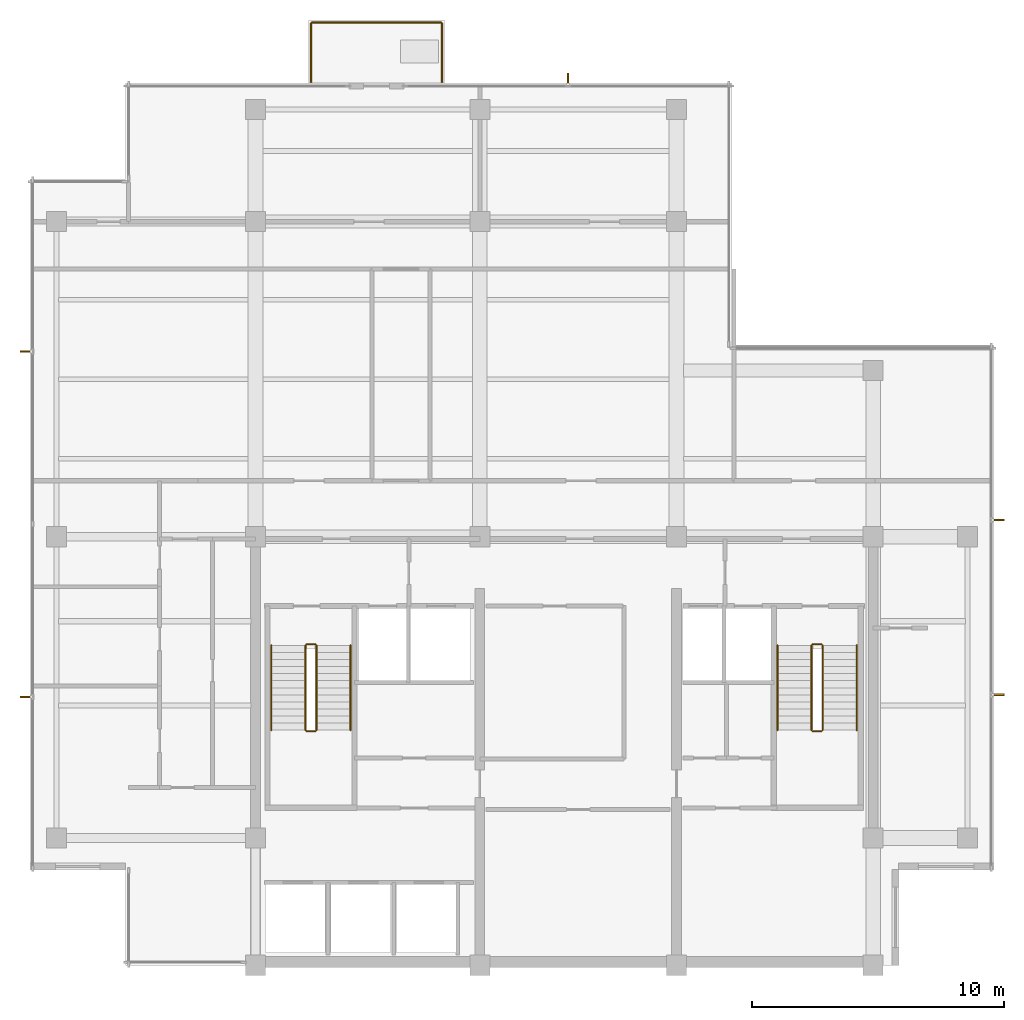
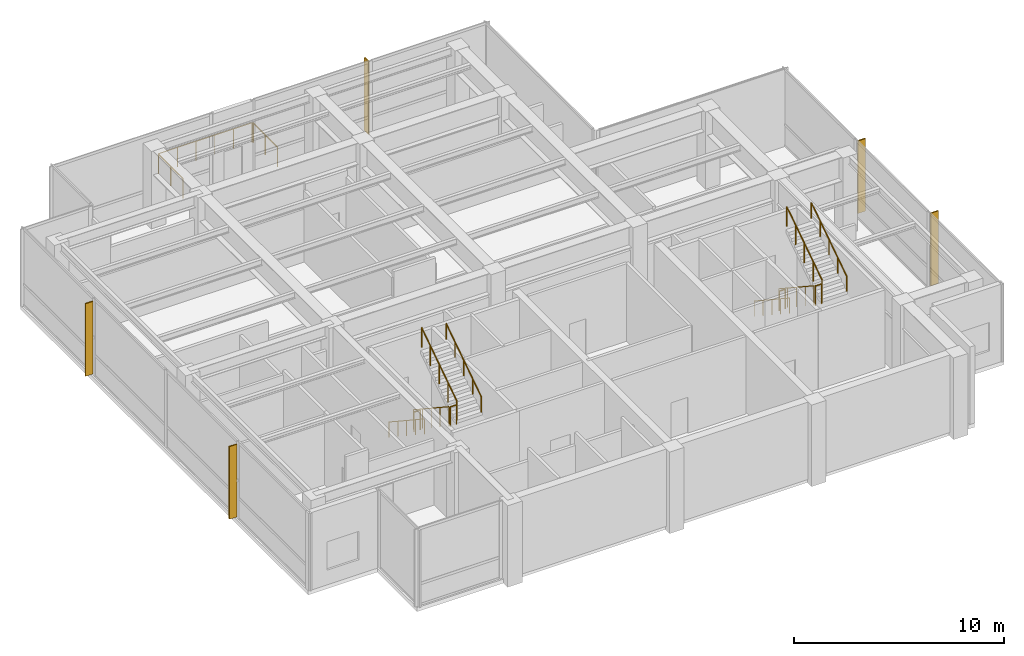
# One storey, part 11 of 11: 15 railings, 5 shading devices.
"""IFC4 building model written with IfcOpenShell, lengths in metres."""

from ifc_helpers import new_model, si_unit, direction, frame, origin, origin_2d, place, context, subcontext, project, spatial, polyline, circle, outline, extrude, material, layer, layer_set, type_object, element, save


model = new_model("IFC4")

# Units and contexts
model_context = context("Model", 3, precision=1e-05, world=origin(), true_north=direction((0.0, 1.0)))
body_context = subcontext(model_context, "Body", "Model", "MODEL_VIEW")
ifc_project = project(units=[si_unit("LENGTHUNIT", "METRE"), si_unit("AREAUNIT", "SQUARE_METRE"), si_unit("VOLUMEUNIT", "CUBIC_METRE"), si_unit("PLANEANGLEUNIT", "RADIAN"), si_unit("MASSUNIT", "GRAM", prefix="KILO")], contexts=[model_context])

# Site, building, storey
site_placement = place(None, origin())
site = spatial("IfcSite", under=ifc_project, at=site_placement, CompositionType="ELEMENT")
building_placement = place(site_placement, origin())
building = spatial("IfcBuilding", under=site, at=building_placement, Name="Qalmaran Belvedere Hotel", CompositionType="ELEMENT")
storey_placement = place(building_placement, frame((0.0, 0.0, 293.89990234375)))
storey = spatial("IfcBuildingStorey", under=building, at=storey_placement, Name="L76", CompositionType="ELEMENT", Elevation=293.89990234375)

# Shading devices
ifc_material_1 = material(Name="Anodised Bronze Aluminium", Category="aluminium")
ifc_layer = layer(ifc_material_1, 0.06494140625, Name="Anodised Bronze Aluminium")
ifc_layer_set = layer_set([ifc_layer], Name="Anodised Bronze Aluminium")
shading_device_type = type_object("IfcShadingDeviceType", Name="FIN-BRNZ-420", PredefinedType="USERDEFINED", material=ifc_layer_set)
shading_device_1_placement = place(storey_placement, frame((0.0, 0.0, 0.16015625)))
element("IfcShadingDevice", 1, at=shading_device_1_placement, inside=storey, type_object=shading_device_type, Name="L76 Bronze Fin 1", ObjectType="FIN", PredefinedType="USERDEFINED", context=body_context, shape_type="SweptSolid", body=[
    extrude(outline(polyline([(49.572509765625, 14.20068359375), (49.992431640625, 14.20068359375), (49.992431640625, 14.265869140625), (49.572509765625, 14.265869140625), (49.572509765625, 14.20068359375)])), origin(), (0.0, 0.0, 1.0), 4.219970703125),
])
shading_device_2_placement = place(storey_placement, frame((0.0, 0.0, 0.16015625)))
element("IfcShadingDevice", 2, at=shading_device_2_placement, inside=storey, type_object=shading_device_type, Name="L76 Bronze Fin 2", ObjectType="FIN", PredefinedType="USERDEFINED", context=body_context, shape_type="SweptSolid", body=[
    extrude(outline(polyline([(49.572509765625, 21.13427734375), (49.992431640625, 21.13427734375), (49.992431640625, 21.19921875), (49.572509765625, 21.19921875), (49.572509765625, 21.13427734375)])), origin(), (0.0, 0.0, 1.0), 4.219970703125),
])
shading_device_3_placement = place(storey_placement, frame((0.0, 0.0, 0.16015625)))
element("IfcShadingDevice", 3, at=shading_device_3_placement, inside=storey, type_object=shading_device_type, Name="L76 Bronze Fin 1", ObjectType="FIN", PredefinedType="USERDEFINED", context=body_context, shape_type="SweptSolid", body=[
    extrude(outline(polyline([(32.732421875, 38.472412109375), (32.732421875, 38.892578125), (32.66748046875, 38.892578125), (32.66748046875, 38.472412109375), (32.732421875, 38.472412109375)])), origin(), (0.0, 0.0, 1.0), 4.219970703125),
])
shading_device_4_placement = place(storey_placement, frame((0.0, 0.0, 0.16015625)))
element("IfcShadingDevice", 4, at=shading_device_4_placement, inside=storey, type_object=shading_device_type, Name="L76 Bronze Fin 1", ObjectType="FIN", PredefinedType="USERDEFINED", context=body_context, shape_type="SweptSolid", body=[
    extrude(outline(polyline([(11.37744140625, 27.882568359375), (10.95751953125, 27.882568359375), (10.95751953125, 27.8173828125), (11.37744140625, 27.8173828125), (11.37744140625, 27.882568359375)])), origin(), (0.0, 0.0, 1.0), 4.219970703125),
])
shading_device_5_placement = place(storey_placement, frame((0.0, 0.0, 0.16015625)))
element("IfcShadingDevice", 5, at=shading_device_5_placement, inside=storey, type_object=shading_device_type, Name="L76 Bronze Fin 3", ObjectType="FIN", PredefinedType="USERDEFINED", context=body_context, shape_type="SweptSolid", body=[
    extrude(outline(polyline([(11.37744140625, 14.1826171875), (10.95751953125, 14.1826171875), (10.95751953125, 14.117431640625), (11.37744140625, 14.117431640625), (11.37744140625, 14.1826171875)])), origin(), (0.0, 0.0, 1.0), 4.219970703125),
])

# Railings
railing_type_1 = type_object("IfcRailingType", Name="GRD-BAL-1150", PredefinedType="BALUSTRADE", material=ifc_material_1)
railing_1_placement = place(storey_placement, frame((22.5, 38.534912109375, 0.0)))
element("IfcRailing", 6, at=railing_1_placement, inside=storey, type_object=railing_type_1, Name="L76 Guardrail BAL-L76-OBS-1", PredefinedType="BALUSTRADE", context=body_context, shape_type="SweptSolid", body=[
    extrude(circle(Radius=0.02392578125, at=origin_2d()), frame((0.0, 0.0, 1.1259765625), z_axis=(0.0, 1.0, 0.0), x_axis=(-1.0, 0.0, 0.0)), (0.0, 0.0, 1.0), 2.330078125),
    extrude(circle(Radius=0.02099609375, at=origin_2d()), origin(), (0.0, 0.0, 1.0), 1.101806640625),
    extrude(circle(Radius=0.02099609375, at=origin_2d()), frame((0.0, 1.1650390625, 0.0)), (0.0, 0.0, 1.0), 1.101806640625),
    extrude(circle(Radius=0.02099609375, at=origin_2d()), frame((0.0, 2.330078125, 0.0)), (0.0, 0.0, 1.0), 1.101806640625),
])
railing_2_placement = place(storey_placement, frame((22.534912109375, 40.89990234375, 0.0)))
element("IfcRailing", 7, at=railing_2_placement, inside=storey, type_object=railing_type_1, Name="L76 Guardrail BAL-L76-OBS-2", PredefinedType="BALUSTRADE", context=body_context, shape_type="SweptSolid", body=[
    extrude(circle(Radius=0.02392578125, at=origin_2d()), frame((0.0, 0.0, 1.1259765625), z_axis=(1.0, 0.0, 0.0), x_axis=(0.0, 1.0, 0.0)), (0.0, 0.0, 1.0), 5.130126953125),
    extrude(circle(Radius=0.02099609375, at=origin_2d()), origin(), (0.0, 0.0, 1.0), 1.101806640625),
    extrude(circle(Radius=0.02099609375, at=origin_2d()), frame((1.026123046875, 0.0, 0.0)), (0.0, 0.0, 1.0), 1.101806640625),
    extrude(circle(Radius=0.02099609375, at=origin_2d()), frame((2.052001953125, 0.0, 0.0)), (0.0, 0.0, 1.0), 1.101806640625),
    extrude(circle(Radius=0.02099609375, at=origin_2d()), frame((3.078125, 0.0, 0.0)), (0.0, 0.0, 1.0), 1.101806640625),
    extrude(circle(Radius=0.02099609375, at=origin_2d()), frame((4.10400390625, 0.0, 0.0)), (0.0, 0.0, 1.0), 1.101806640625),
    extrude(circle(Radius=0.02099609375, at=origin_2d()), frame((5.130126953125, 0.0, 0.0)), (0.0, 0.0, 1.0), 1.101806640625),
])
railing_3_placement = place(storey_placement, frame((27.699951171875, 40.864990234375, 0.0)))
element("IfcRailing", 8, at=railing_3_placement, inside=storey, type_object=railing_type_1, Name="L76 Guardrail BAL-L76-OBS-3", PredefinedType="BALUSTRADE", context=body_context, shape_type="SweptSolid", body=[
    extrude(circle(Radius=0.02392578125, at=origin_2d()), frame((0.0, 0.0, 1.1259765625), z_axis=(0.0, -1.0, 0.0), x_axis=(1.0, 0.0, 0.0)), (0.0, 0.0, 1.0), 2.330078125),
    extrude(circle(Radius=0.02099609375, at=origin_2d()), origin(), (0.0, 0.0, 1.0), 1.101806640625),
    extrude(circle(Radius=0.02099609375, at=origin_2d()), frame((0.0, -1.1650390625, 0.0)), (0.0, 0.0, 1.0), 1.101806640625),
    extrude(circle(Radius=0.02099609375, at=origin_2d()), frame((0.0, -2.330078125, 0.0)), (0.0, 0.0, 1.0), 1.101806640625),
])
ifc_material_2 = material(Name="Stainless Steel 1.4401", Category="steel")
railing_type_2 = type_object("IfcRailingType", Name="RLG-STAIR-GUARD-1150", PredefinedType="GUARDRAIL", material=ifc_material_2)
railing_4_placement = place(storey_placement, frame((22.280029296875, 16.18994140625, 0.184814453125)))
element("IfcRailing", 9, at=railing_4_placement, inside=storey, type_object=railing_type_2, Name="L76 ST-1 stair guard 1", PredefinedType="GUARDRAIL", context=body_context, shape_type="SweptSolid", body=[
    extrude(circle(Radius=0.02392578125, at=origin_2d()), frame((0.0, 0.0, 1.1259765625), z_axis=(0.0, -0.834858096282, 0.550465220583), x_axis=(1.0, 0.0, 0.0)), (0.0, 0.0, 1.0), 4.0244140625),
    extrude(circle(Radius=0.02099609375, at=origin_2d()), origin(), (0.0, 0.0, 1.0), 1.101806640625),
    extrude(circle(Radius=0.02099609375, at=origin_2d()), frame((0.0, -0.83984375, 0.5537109375)), (0.0, 0.0, 1.0), 1.101806640625),
    extrude(circle(Radius=0.02099609375, at=origin_2d()), frame((0.0, -1.679931640625, 1.107666015625)), (0.0, 0.0, 1.0), 1.101806640625),
    extrude(circle(Radius=0.02099609375, at=origin_2d()), frame((0.0, -2.52001953125, 1.66162109375)), (0.0, 0.0, 1.0), 1.101806640625),
    extrude(circle(Radius=0.02099609375, at=origin_2d()), frame((0.0, -3.35986328125, 2.21533203125)), (0.0, 0.0, 1.0), 1.101806640625),
])
railing_5_placement = place(storey_placement, frame((22.330078125, 12.780029296875, 2.400146484375)))
element("IfcRailing", 10, at=railing_5_placement, inside=storey, type_object=railing_type_2, Name="L76 ST-1 stair guard 2", PredefinedType="GUARDRAIL", context=body_context, shape_type="SweptSolid", body=[
    extrude(circle(Radius=0.02392578125, at=origin_2d()), frame((0.0, 0.0, 1.1259765625), z_axis=(1.0, 0.0, 0.0), x_axis=(0.0, 1.0, 0.0)), (0.0, 0.0, 1.0), 0.33984375),
    extrude(circle(Radius=0.02099609375, at=origin_2d()), origin(), (0.0, 0.0, 1.0), 1.101806640625),
    extrude(circle(Radius=0.02099609375, at=origin_2d()), frame((0.33984375, 0.0, 0.0)), (0.0, 0.0, 1.0), 1.101806640625),
])
railing_6_placement = place(storey_placement, frame((22.719970703125, 12.830078125, 2.584716796875)))
element("IfcRailing", 11, at=railing_6_placement, inside=storey, type_object=railing_type_2, Name="L76 ST-1 stair guard 3", PredefinedType="GUARDRAIL", context=body_context, shape_type="SweptSolid", body=[
    extrude(circle(Radius=0.02392578125, at=origin_2d()), frame((0.0, 0.0, 1.1259765625), z_axis=(0.0, 0.834858096282, 0.550465220583), x_axis=(-1.0, 0.0, 0.0)), (0.0, 0.0, 1.0), 4.0244140625),
    extrude(circle(Radius=0.02099609375, at=origin_2d()), origin(), (0.0, 0.0, 1.0), 1.101806640625),
    extrude(circle(Radius=0.02099609375, at=origin_2d()), frame((0.0, 0.83984375, 0.5537109375)), (0.0, 0.0, 1.0), 1.101806640625),
    extrude(circle(Radius=0.02099609375, at=origin_2d()), frame((0.0, 1.679931640625, 1.107666015625)), (0.0, 0.0, 1.0), 1.101806640625),
    extrude(circle(Radius=0.02099609375, at=origin_2d()), frame((0.0, 2.52001953125, 1.66162109375)), (0.0, 0.0, 1.0), 1.101806640625),
    extrude(circle(Radius=0.02099609375, at=origin_2d()), frame((0.0, 3.35986328125, 2.21533203125)), (0.0, 0.0, 1.0), 1.101806640625),
])
railing_7_placement = place(storey_placement, frame((22.330078125, 16.239990234375, 0.0)))
element("IfcRailing", 12, at=railing_7_placement, inside=storey, type_object=railing_type_2, Name="L76 ST-1 stair guard 4", PredefinedType="GUARDRAIL", context=body_context, shape_type="SweptSolid", body=[
    extrude(circle(Radius=0.02392578125, at=origin_2d()), frame((0.0, 0.0, 1.1259765625), z_axis=(1.0, 0.0, 0.0), x_axis=(0.0, 1.0, 0.0)), (0.0, 0.0, 1.0), 0.33984375),
    extrude(circle(Radius=0.02099609375, at=origin_2d()), origin(), (0.0, 0.0, 1.0), 1.101806640625),
    extrude(circle(Radius=0.02099609375, at=origin_2d()), frame((0.33984375, 0.0, 0.0)), (0.0, 0.0, 1.0), 1.101806640625),
])
railing_8_placement = place(storey_placement, frame((42.360107421875, 16.18994140625, 0.184814453125)))
element("IfcRailing", 13, at=railing_8_placement, inside=storey, type_object=railing_type_2, Name="L76 ST-2 stair guard 1", PredefinedType="GUARDRAIL", context=body_context, shape_type="SweptSolid", body=[
    extrude(circle(Radius=0.02392578125, at=origin_2d()), frame((0.0, 0.0, 1.1259765625), z_axis=(0.0, -0.834858096282, 0.550465220583), x_axis=(1.0, 0.0, 0.0)), (0.0, 0.0, 1.0), 4.0244140625),
    extrude(circle(Radius=0.02099609375, at=origin_2d()), origin(), (0.0, 0.0, 1.0), 1.101806640625),
    extrude(circle(Radius=0.02099609375, at=origin_2d()), frame((0.0, -0.83984375, 0.5537109375)), (0.0, 0.0, 1.0), 1.101806640625),
    extrude(circle(Radius=0.02099609375, at=origin_2d()), frame((0.0, -1.679931640625, 1.107666015625)), (0.0, 0.0, 1.0), 1.101806640625),
    extrude(circle(Radius=0.02099609375, at=origin_2d()), frame((0.0, -2.52001953125, 1.66162109375)), (0.0, 0.0, 1.0), 1.101806640625),
    extrude(circle(Radius=0.02099609375, at=origin_2d()), frame((0.0, -3.35986328125, 2.21533203125)), (0.0, 0.0, 1.0), 1.101806640625),
])
railing_9_placement = place(storey_placement, frame((42.409912109375, 12.780029296875, 2.400146484375)))
element("IfcRailing", 14, at=railing_9_placement, inside=storey, type_object=railing_type_2, Name="L76 ST-2 stair guard 2", PredefinedType="GUARDRAIL", context=body_context, shape_type="SweptSolid", body=[
    extrude(circle(Radius=0.02392578125, at=origin_2d()), frame((0.0, 0.0, 1.1259765625), z_axis=(1.0, 0.0, 0.0), x_axis=(0.0, 1.0, 0.0)), (0.0, 0.0, 1.0), 0.340087890625),
    extrude(circle(Radius=0.02099609375, at=origin_2d()), origin(), (0.0, 0.0, 1.0), 1.101806640625),
    extrude(circle(Radius=0.02099609375, at=origin_2d()), frame((0.340087890625, 0.0, 0.0)), (0.0, 0.0, 1.0), 1.101806640625),
])
railing_10_placement = place(storey_placement, frame((42.800048828125, 12.830078125, 2.584716796875)))
element("IfcRailing", 15, at=railing_10_placement, inside=storey, type_object=railing_type_2, Name="L76 ST-2 stair guard 3", PredefinedType="GUARDRAIL", context=body_context, shape_type="SweptSolid", body=[
    extrude(circle(Radius=0.02392578125, at=origin_2d()), frame((0.0, 0.0, 1.1259765625), z_axis=(0.0, 0.834858096282, 0.550465220583), x_axis=(-1.0, 0.0, 0.0)), (0.0, 0.0, 1.0), 4.0244140625),
    extrude(circle(Radius=0.02099609375, at=origin_2d()), origin(), (0.0, 0.0, 1.0), 1.101806640625),
    extrude(circle(Radius=0.02099609375, at=origin_2d()), frame((0.0, 0.83984375, 0.5537109375)), (0.0, 0.0, 1.0), 1.101806640625),
    extrude(circle(Radius=0.02099609375, at=origin_2d()), frame((0.0, 1.679931640625, 1.107666015625)), (0.0, 0.0, 1.0), 1.101806640625),
    extrude(circle(Radius=0.02099609375, at=origin_2d()), frame((0.0, 2.52001953125, 1.66162109375)), (0.0, 0.0, 1.0), 1.101806640625),
    extrude(circle(Radius=0.02099609375, at=origin_2d()), frame((0.0, 3.35986328125, 2.21533203125)), (0.0, 0.0, 1.0), 1.101806640625),
])
railing_11_placement = place(storey_placement, frame((42.409912109375, 16.239990234375, 0.0)))
element("IfcRailing", 16, at=railing_11_placement, inside=storey, type_object=railing_type_2, Name="L76 ST-2 stair guard 4", PredefinedType="GUARDRAIL", context=body_context, shape_type="SweptSolid", body=[
    extrude(circle(Radius=0.02392578125, at=origin_2d()), frame((0.0, 0.0, 1.1259765625), z_axis=(1.0, 0.0, 0.0), x_axis=(0.0, 1.0, 0.0)), (0.0, 0.0, 1.0), 0.340087890625),
    extrude(circle(Radius=0.02099609375, at=origin_2d()), origin(), (0.0, 0.0, 1.0), 1.101806640625),
    extrude(circle(Radius=0.02099609375, at=origin_2d()), frame((0.340087890625, 0.0, 0.0)), (0.0, 0.0, 1.0), 1.101806640625),
])
railing_type_3 = type_object("IfcRailingType", Name="RLG-STAIR-HAND-910", PredefinedType="HANDRAIL", material=ifc_material_2)
railing_12_placement = place(storey_placement, frame((20.929931640625, 16.18994140625, 0.184814453125)))
element("IfcRailing", 17, at=railing_12_placement, inside=storey, type_object=railing_type_3, Name="L76 ST-1 stair handrail 1", PredefinedType="HANDRAIL", context=body_context, shape_type="SweptSolid", body=[
    extrude(circle(Radius=0.02392578125, at=origin_2d()), frame((0.0, 0.0, 0.8857421875), z_axis=(0.0, -0.834858096282, 0.550465220583), x_axis=(1.0, 0.0, 0.0)), (0.0, 0.0, 1.0), 4.0244140625),
    extrude(circle(Radius=0.02099609375, at=origin_2d()), origin(), (0.0, 0.0, 1.0), 0.86181640625),
    extrude(circle(Radius=0.02099609375, at=origin_2d()), frame((0.0, -0.83984375, 0.5537109375)), (0.0, 0.0, 1.0), 0.86181640625),
    extrude(circle(Radius=0.02099609375, at=origin_2d()), frame((0.0, -1.679931640625, 1.107666015625)), (0.0, 0.0, 1.0), 0.86181640625),
    extrude(circle(Radius=0.02099609375, at=origin_2d()), frame((0.0, -2.52001953125, 1.66162109375)), (0.0, 0.0, 1.0), 0.86181640625),
    extrude(circle(Radius=0.02099609375, at=origin_2d()), frame((0.0, -3.35986328125, 2.21533203125)), (0.0, 0.0, 1.0), 0.86181640625),
])
railing_13_placement = place(storey_placement, frame((24.070068359375, 12.830078125, 2.584716796875)))
element("IfcRailing", 18, at=railing_13_placement, inside=storey, type_object=railing_type_3, Name="L76 ST-1 stair handrail 2", PredefinedType="HANDRAIL", context=body_context, shape_type="SweptSolid", body=[
    extrude(circle(Radius=0.02392578125, at=origin_2d()), frame((0.0, 0.0, 0.8857421875), z_axis=(0.0, 0.834858096282, 0.550465220583), x_axis=(-1.0, 0.0, 0.0)), (0.0, 0.0, 1.0), 4.0244140625),
    extrude(circle(Radius=0.02099609375, at=origin_2d()), origin(), (0.0, 0.0, 1.0), 0.86181640625),
    extrude(circle(Radius=0.02099609375, at=origin_2d()), frame((0.0, 0.83984375, 0.5537109375)), (0.0, 0.0, 1.0), 0.86181640625),
    extrude(circle(Radius=0.02099609375, at=origin_2d()), frame((0.0, 1.679931640625, 1.107666015625)), (0.0, 0.0, 1.0), 0.86181640625),
    extrude(circle(Radius=0.02099609375, at=origin_2d()), frame((0.0, 2.52001953125, 1.66162109375)), (0.0, 0.0, 1.0), 0.86181640625),
    extrude(circle(Radius=0.02099609375, at=origin_2d()), frame((0.0, 3.35986328125, 2.21533203125)), (0.0, 0.0, 1.0), 0.86181640625),
])
railing_14_placement = place(storey_placement, frame((41.010009765625, 16.18994140625, 0.184814453125)))
element("IfcRailing", 19, at=railing_14_placement, inside=storey, type_object=railing_type_3, Name="L76 ST-2 stair handrail 1", PredefinedType="HANDRAIL", context=body_context, shape_type="SweptSolid", body=[
    extrude(circle(Radius=0.02392578125, at=origin_2d()), frame((0.0, 0.0, 0.8857421875), z_axis=(0.0, -0.834858096282, 0.550465220583), x_axis=(1.0, 0.0, 0.0)), (0.0, 0.0, 1.0), 4.0244140625),
    extrude(circle(Radius=0.02099609375, at=origin_2d()), origin(), (0.0, 0.0, 1.0), 0.86181640625),
    extrude(circle(Radius=0.02099609375, at=origin_2d()), frame((0.0, -0.83984375, 0.5537109375)), (0.0, 0.0, 1.0), 0.86181640625),
    extrude(circle(Radius=0.02099609375, at=origin_2d()), frame((0.0, -1.679931640625, 1.107666015625)), (0.0, 0.0, 1.0), 0.86181640625),
    extrude(circle(Radius=0.02099609375, at=origin_2d()), frame((0.0, -2.52001953125, 1.66162109375)), (0.0, 0.0, 1.0), 0.86181640625),
    extrude(circle(Radius=0.02099609375, at=origin_2d()), frame((0.0, -3.35986328125, 2.21533203125)), (0.0, 0.0, 1.0), 0.86181640625),
])
railing_15_placement = place(storey_placement, frame((44.14990234375, 12.830078125, 2.584716796875)))
element("IfcRailing", 20, at=railing_15_placement, inside=storey, type_object=railing_type_3, Name="L76 ST-2 stair handrail 2", PredefinedType="HANDRAIL", context=body_context, shape_type="SweptSolid", body=[
    extrude(circle(Radius=0.02392578125, at=origin_2d()), frame((0.0, 0.0, 0.8857421875), z_axis=(0.0, 0.834858096282, 0.550465220583), x_axis=(-1.0, 0.0, 0.0)), (0.0, 0.0, 1.0), 4.0244140625),
    extrude(circle(Radius=0.02099609375, at=origin_2d()), origin(), (0.0, 0.0, 1.0), 0.86181640625),
    extrude(circle(Radius=0.02099609375, at=origin_2d()), frame((0.0, 0.83984375, 0.5537109375)), (0.0, 0.0, 1.0), 0.86181640625),
    extrude(circle(Radius=0.02099609375, at=origin_2d()), frame((0.0, 1.679931640625, 1.107666015625)), (0.0, 0.0, 1.0), 0.86181640625),
    extrude(circle(Radius=0.02099609375, at=origin_2d()), frame((0.0, 2.52001953125, 1.66162109375)), (0.0, 0.0, 1.0), 0.86181640625),
    extrude(circle(Radius=0.02099609375, at=origin_2d()), frame((0.0, 3.35986328125, 2.21533203125)), (0.0, 0.0, 1.0), 0.86181640625),
])

save(model, "model.ifc")
